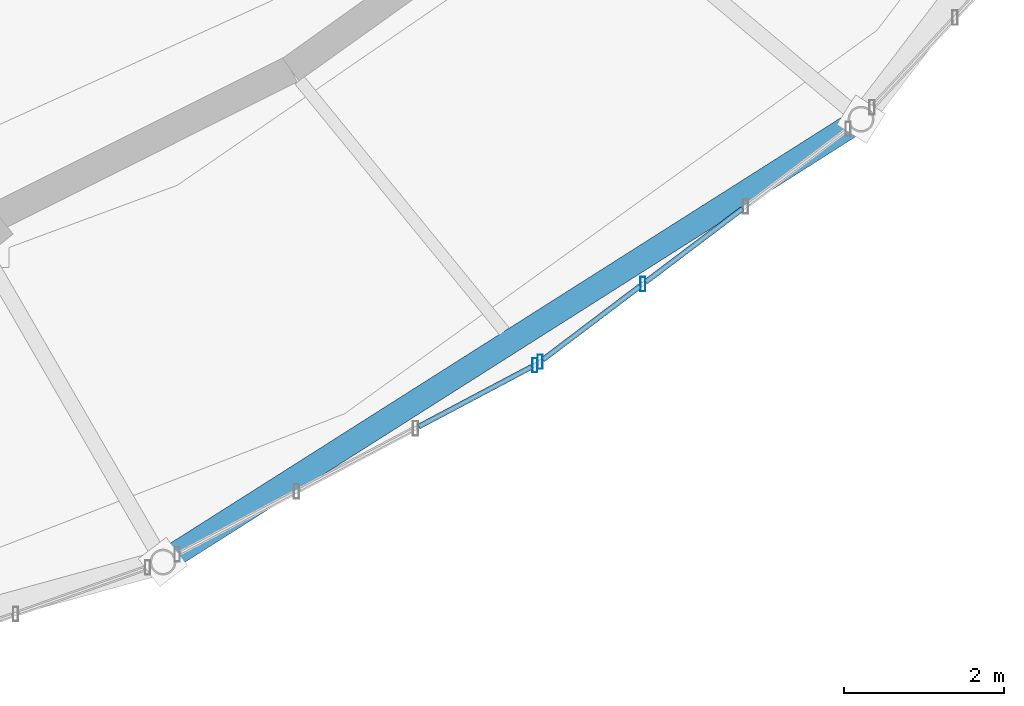
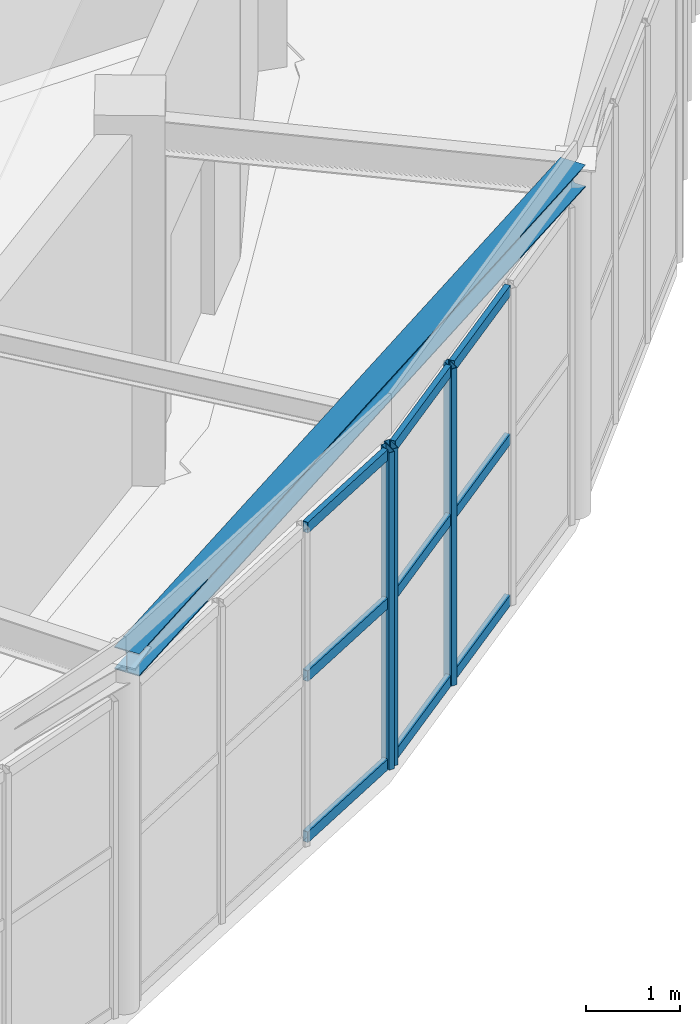
# One storey, part 41 of 108: 12 members, 1 beam, 2 elements without a shape of their own.
"""IFC4 building model written with IfcOpenShell, lengths in metres."""

from ifc_helpers import new_model, si_unit, direction, frame, origin, origin_2d, place, context, subcontext, project, spatial, hollow_rectangle, i_section, extrude, material, material_profile, profile_set, type_object, element, aggregate, save


model = new_model("IFC4")

# Units and contexts
model_context = context("Model", 3, precision=1e-05, world=origin(), true_north=direction((0.0, 1.0)))
body_context = subcontext(model_context, "Body", "Model", "MODEL_VIEW")
ifc_project = project(units=[si_unit("LENGTHUNIT", "METRE"), si_unit("AREAUNIT", "SQUARE_METRE"), si_unit("VOLUMEUNIT", "CUBIC_METRE"), si_unit("PLANEANGLEUNIT", "RADIAN"), si_unit("MASSUNIT", "GRAM", prefix="KILO")], contexts=[model_context])

# Site, building, storey
site_placement = place(None, origin())
site = spatial("IfcSite", under=ifc_project, at=site_placement, CompositionType="ELEMENT")
building_placement = place(site_placement, origin())
building = spatial("IfcBuilding", under=site, at=building_placement, Name="Tarnveldt Headland Concert Hall", CompositionType="ELEMENT")
storey_placement = place(building_placement, frame((0.0, 0.0, 9.60009765625)))
storey = spatial("IfcBuildingStorey", under=building, at=storey_placement, Name="L02", CompositionType="ELEMENT", Elevation=9.60009765625)

# Curtain wall, member
ifc_material_1 = material(Name="Marine-anodised aluminium EN AW-6063-T6", Category="aluminium")
curtain_wall_type = type_object("IfcCurtainWallType", Name="CW-F3", PredefinedType="NOTDEFINED", material=ifc_material_1)
curtain_wall_1_placement = place(storey_placement, origin())
curtain_wall_1 = element("IfcCurtainWall", 1, at=curtain_wall_1_placement, inside=storey, type_object=curtain_wall_type, Name="Curtain wall CW-L02-089", PredefinedType="NOTDEFINED")
ifc_material_profile_1 = material_profile(ifc_material_1, hollow_rectangle(XDim=0.06494140625, YDim=0.179931640625, WallThickness=0.00390625, at=origin_2d()), Name="ALU MULLION 65x180x4", Category="aluminium")
ifc_profile_set_1 = profile_set([ifc_material_profile_1], Name="Marine-anodised aluminium EN AW-6063-T6")
member_type_1 = type_object("IfcMemberType", Name="ML-180", PredefinedType="MULLION", material=ifc_profile_set_1)
member_1_placement = place(storey_placement, frame((104.548095703125, 35.4833984375, 0.0), z_axis=(0.0, 0.0, 1.0), x_axis=(1.0, 0.0, 0.0)))
member_1 = element("IfcMember", 2, at=member_1_placement, type_object=member_type_1, Name="Mullion CW-L02-089-4", PredefinedType="MULLION", context=body_context, shape_type="SweptSolid", body=[
    extrude(hollow_rectangle(XDim=0.06494140625, YDim=0.179931640625, WallThickness=0.00390625, at=origin_2d()), origin(), (0.0, 0.0, 1.0), 4.10791015625),
])

# Curtain wall, members
curtain_wall_2_placement = place(storey_placement, origin())
curtain_wall_2 = element("IfcCurtainWall", 3, at=curtain_wall_2_placement, inside=storey, type_object=curtain_wall_type, Name="Curtain wall CW-L02-090", PredefinedType="NOTDEFINED")
member_2_placement = place(storey_placement, frame((104.615234375, 35.526123046875, 0.0), z_axis=(0.0, 0.0, 1.0), x_axis=(1.0, 0.0, 0.0)))
member_2 = element("IfcMember", 4, at=member_2_placement, type_object=member_type_1, Name="Mullion CW-L02-090-1", PredefinedType="MULLION", context=body_context, shape_type="SweptSolid", body=[
    extrude(hollow_rectangle(XDim=0.06494140625, YDim=0.179931640625, WallThickness=0.00390625, at=origin_2d()), origin(), (0.0, 0.0, 1.0), 4.10791015625),
])
member_3_placement = place(storey_placement, frame((105.898681640625, 36.49658203125, 0.0), z_axis=(0.0, 0.0, 1.0), x_axis=(1.0, 0.0, 0.0)))
member_3 = element("IfcMember", 5, at=member_3_placement, type_object=member_type_1, Name="Mullion CW-L02-090-2", PredefinedType="MULLION", context=body_context, shape_type="SweptSolid", body=[
    extrude(hollow_rectangle(XDim=0.06494140625, YDim=0.179931640625, WallThickness=0.00390625, at=origin_2d()), origin(), (0.0, 0.0, 1.0), 4.10791015625),
])

# Beam
ifc_material_2 = material(Name="Steel S355", Category="steel")
ifc_material_profile_2 = material_profile(ifc_material_2, i_section(OverallWidth=0.300048828125, OverallDepth=0.2900390625, WebThickness=0.008544921875, FlangeThickness=0.013916015625, FilletRadius=0.027099609375, at=origin_2d()), Name="HEA300", Category="steel")
ifc_profile_set_2 = profile_set([ifc_material_profile_2], Name="Steel S355")
beam_type = type_object("IfcBeamType", Name="SB-HEA300", PredefinedType="SPANDREL", material=ifc_profile_set_2)
beam_placement = place(storey_placement, frame((99.95068359375, 33.0546875, 4.4248046875), z_axis=(0.844390967344, 0.535727444012, 0.0), x_axis=(-0.535727444012, 0.844390967344, 0.0)))
element("IfcBeam", 6, at=beam_placement, inside=storey, type_object=beam_type, Name="Framing beam L02-1040", PredefinedType="SPANDREL", context=body_context, shape_type="SweptSolid", body=[
    extrude(i_section(OverallWidth=0.300048828125, OverallDepth=0.2900390625, WebThickness=0.008544921875, FlangeThickness=0.013916015625, FilletRadius=0.027099609375, at=origin_2d()), origin(), (0.0, 0.0, 1.0), 10.21435546875),
])

# Member
ifc_material_profile_3 = material_profile(ifc_material_1, hollow_rectangle(XDim=0.06494140625, YDim=0.139892578125, WallThickness=0.00390625, at=origin_2d()), Name="ALU TRANSOM 65x140x4", Category="aluminium")
ifc_profile_set_3 = profile_set([ifc_material_profile_3], Name="Marine-anodised aluminium EN AW-6063-T6")
member_type_2 = type_object("IfcMemberType", Name="TR-140", PredefinedType="MEMBER", material=ifc_profile_set_3)
member_4_placement = place(storey_placement, frame((103.097412109375, 34.715576171875, 0.0498046875), z_axis=(0.883821383247, 0.467824499695, 0.0), x_axis=(-0.467824499695, 0.883821383247, 0.0)))
member_4 = element("IfcMember", 7, at=member_4_placement, type_object=member_type_2, Name="Transom CW-L02-089-3-1", PredefinedType="MEMBER", context=body_context, shape_type="SweptSolid", body=[
    extrude(hollow_rectangle(XDim=0.06494140625, YDim=0.139892578125, WallThickness=0.00390625, at=origin_2d()), origin(), (0.0, 0.0, 1.0), 1.596923828125),
])

member_5_placement = place(storey_placement, frame((103.097412109375, 34.715576171875, 2.135986328125), z_axis=(0.883821383247, 0.467824499695, 0.0), x_axis=(-0.467824499695, 0.883821383247, 0.0)))
member_5 = element("IfcMember", 8, at=member_5_placement, type_object=member_type_2, Name="Transom CW-L02-089-3-2", PredefinedType="MEMBER", context=body_context, shape_type="SweptSolid", body=[
    extrude(hollow_rectangle(XDim=0.06494140625, YDim=0.139892578125, WallThickness=0.00390625, at=origin_2d()), origin(), (0.0, 0.0, 1.0), 1.596923828125),
])

member_6_placement = place(storey_placement, frame((103.097412109375, 34.715576171875, 4.057861328125), z_axis=(0.883821383247, 0.467824499695, 0.0), x_axis=(-0.467824499695, 0.883821383247, 0.0)))
member_6 = element("IfcMember", 9, at=member_6_placement, type_object=member_type_2, Name="Transom CW-L02-089-3-3", PredefinedType="MEMBER", context=body_context, shape_type="SweptSolid", body=[
    extrude(hollow_rectangle(XDim=0.06494140625, YDim=0.139892578125, WallThickness=0.00390625, at=origin_2d()), origin(), (0.0, 0.0, 1.0), 1.596923828125),
])

aggregate(curtain_wall_1, [member_1, member_4, member_5, member_6])

member_7_placement = place(storey_placement, frame((104.65087890625, 35.552978515625, 0.0498046875), z_axis=(0.797583929447, 0.603207986923, 0.0), x_axis=(-0.603207986923, 0.797583929447, 0.0)))
member_7 = element("IfcMember", 10, at=member_7_placement, type_object=member_type_2, Name="Transom CW-L02-090-1-1", PredefinedType="MEMBER", context=body_context, shape_type="SweptSolid", body=[
    extrude(hollow_rectangle(XDim=0.06494140625, YDim=0.139892578125, WallThickness=0.00390625, at=origin_2d()), origin(), (0.0, 0.0, 1.0), 1.519775390625),
])

member_8_placement = place(storey_placement, frame((104.65087890625, 35.552978515625, 2.135986328125), z_axis=(0.797583929447, 0.603207986923, 0.0), x_axis=(-0.603207986923, 0.797583929447, 0.0)))
member_8 = element("IfcMember", 11, at=member_8_placement, type_object=member_type_2, Name="Transom CW-L02-090-1-2", PredefinedType="MEMBER", context=body_context, shape_type="SweptSolid", body=[
    extrude(hollow_rectangle(XDim=0.06494140625, YDim=0.139892578125, WallThickness=0.00390625, at=origin_2d()), origin(), (0.0, 0.0, 1.0), 1.519775390625),
])

member_9_placement = place(storey_placement, frame((104.65087890625, 35.552978515625, 4.057861328125), z_axis=(0.797583929447, 0.603207986923, 0.0), x_axis=(-0.603207986923, 0.797583929447, 0.0)))
member_9 = element("IfcMember", 12, at=member_9_placement, type_object=member_type_2, Name="Transom CW-L02-090-1-3", PredefinedType="MEMBER", context=body_context, shape_type="SweptSolid", body=[
    extrude(hollow_rectangle(XDim=0.06494140625, YDim=0.139892578125, WallThickness=0.00390625, at=origin_2d()), origin(), (0.0, 0.0, 1.0), 1.519775390625),
])

member_10_placement = place(storey_placement, frame((105.93408203125, 36.523193359375, 0.0498046875), z_axis=(0.797642369129, 0.603130708031, 0.0), x_axis=(-0.603130708031, 0.797642369129, 0.0)))
member_10 = element("IfcMember", 13, at=member_10_placement, type_object=member_type_2, Name="Transom CW-L02-090-2-1", PredefinedType="MEMBER", context=body_context, shape_type="SweptSolid", body=[
    extrude(hollow_rectangle(XDim=0.06494140625, YDim=0.139892578125, WallThickness=0.00390625, at=origin_2d()), origin(), (0.0, 0.0, 1.0), 1.52001953125),
])

member_11_placement = place(storey_placement, frame((105.93408203125, 36.523193359375, 2.135986328125), z_axis=(0.797642369129, 0.603130708031, 0.0), x_axis=(-0.603130708031, 0.797642369129, 0.0)))
member_11 = element("IfcMember", 14, at=member_11_placement, type_object=member_type_2, Name="Transom CW-L02-090-2-2", PredefinedType="MEMBER", context=body_context, shape_type="SweptSolid", body=[
    extrude(hollow_rectangle(XDim=0.06494140625, YDim=0.139892578125, WallThickness=0.00390625, at=origin_2d()), origin(), (0.0, 0.0, 1.0), 1.52001953125),
])

member_12_placement = place(storey_placement, frame((105.93408203125, 36.523193359375, 4.057861328125), z_axis=(0.797642369129, 0.603130708031, 0.0), x_axis=(-0.603130708031, 0.797642369129, 0.0)))
member_12 = element("IfcMember", 15, at=member_12_placement, type_object=member_type_2, Name="Transom CW-L02-090-2-3", PredefinedType="MEMBER", context=body_context, shape_type="SweptSolid", body=[
    extrude(hollow_rectangle(XDim=0.06494140625, YDim=0.139892578125, WallThickness=0.00390625, at=origin_2d()), origin(), (0.0, 0.0, 1.0), 1.52001953125),
])

aggregate(curtain_wall_2, [member_2, member_3, member_7, member_8, member_9, member_10, member_11, member_12])

save(model, "model.ifc")
